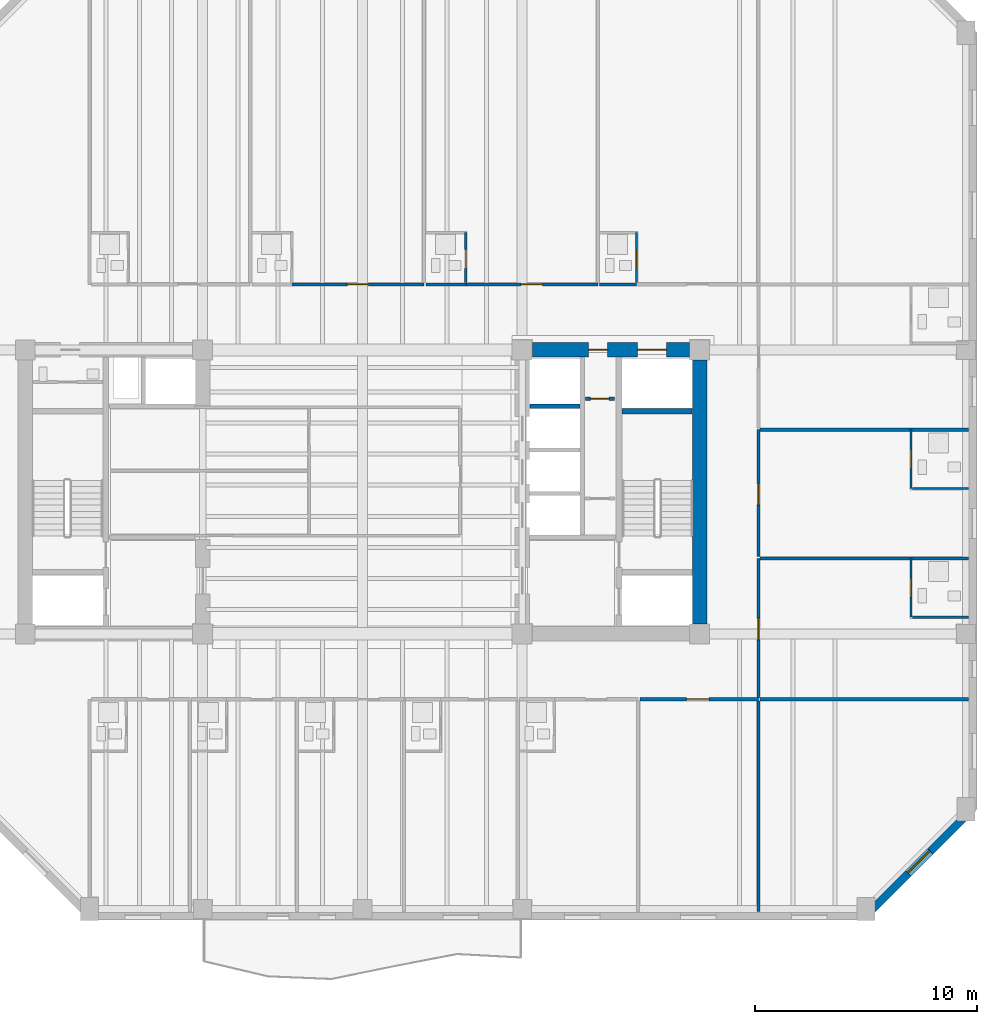
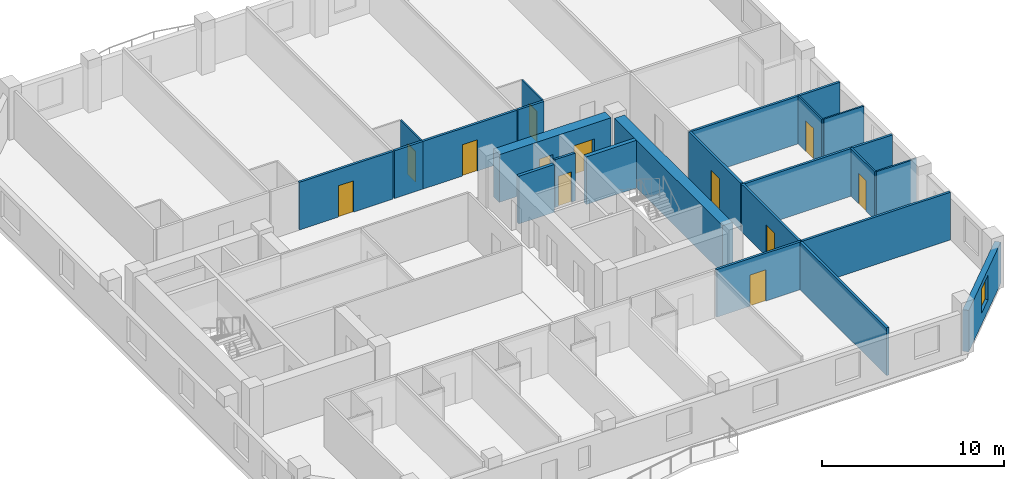
# One storey, part 5 of 11: 23 walls, 12 doors, 1 window, 13 openings.
"""IFC4 building model written with IfcOpenShell, lengths in metres."""

from ifc_helpers import new_model, si_unit, direction, frame, frame_2d, origin, place, context, subcontext, project, spatial, rectangle, extrude, material, layer, layer_set, type_object, element, fill, save


model = new_model("IFC4")

# Units and contexts
model_context = context("Model", 3, precision=1e-05, world=origin(), true_north=direction((0.0, 1.0)))
body_context = subcontext(model_context, "Body", "Model", "MODEL_VIEW")
ifc_project = project(units=[si_unit("LENGTHUNIT", "METRE"), si_unit("AREAUNIT", "SQUARE_METRE"), si_unit("VOLUMEUNIT", "CUBIC_METRE"), si_unit("PLANEANGLEUNIT", "RADIAN"), si_unit("MASSUNIT", "GRAM", prefix="KILO")], contexts=[model_context])

# Site, building, storey
site_placement = place(None, origin())
site = spatial("IfcSite", under=ifc_project, at=site_placement, CompositionType="ELEMENT")
building_placement = place(site_placement, origin())
building = spatial("IfcBuilding", under=site, at=building_placement, Name="Kranthara Brick Stack", CompositionType="ELEMENT")
storey_placement = place(building_placement, frame((0.0, 0.0, 172.800048828125)))
storey = spatial("IfcBuildingStorey", under=building, at=storey_placement, Name="L44", CompositionType="ELEMENT", Elevation=172.800048828125)

# Wall, opening, window
ifc_material_1 = material(Name="Kiln-fired clay brick masonry M15", Category="masonry")
ifc_layer_1 = layer(ifc_material_1, 0.35009765625)
ifc_layer_set_1 = layer_set([ifc_layer_1], Name="Kiln-fired clay brick masonry M15")
wall_type_1 = type_object("IfcWallType", Name="WL-BRK-SPND-350", PredefinedType="STANDARD", material=ifc_layer_set_1)
wall_1_placement = place(storey_placement, frame((55.5048828125, 12.89990234375, 0.0), z_axis=(0.0, 0.0, 1.0), x_axis=(-0.707106781187, -0.707106781187, 0.0)))
wall_1 = element("IfcWall", 1, at=wall_1_placement, inside=storey, type_object=wall_type_1, Name="L44 Exterior Brick Facade Wall SE 1", PredefinedType="STANDARD", context=body_context, shape_type="SweptSolid", body=[
    extrude(rectangle(XDim=6.795166015625, YDim=0.35009765625, at=frame_2d((3.3974609375, 0.0))), origin(), (0.0, 0.0, 1.0), 2.784912109375),
])
opening_1_placement = place(wall_1_placement, frame((2.697998046875, 0.0, 0.75)))
opening_1 = element("IfcOpeningElement", 2, at=opening_1_placement, cuts=wall_1, Name="Opening WN10", PredefinedType="OPENING", context=body_context, shape_type="SweptSolid", body=[
    extrude(rectangle(XDim=1.39990234375, YDim=1.64990234375, at=frame_2d((0.699951171875, 0.824951171875))), frame((0.0, 0.18505859375, 0.0), z_axis=(0.0, -1.0, 0.0), x_axis=(1.0, 0.0, 0.0)), (0.0, 0.0, 1.0), 0.3701171875),
])
ifc_material_2 = material(Name="Double-glazed low-E solar control glass", Category="glass")
window_type = type_object("IfcWindowType", Name="WN-CHM-1400x1750", PartitioningType="SINGLE_PANEL", PredefinedType="WINDOW", material=ifc_material_2)
window_placement = place(opening_1_placement, origin())
window = element("IfcWindow", 3, at=window_placement, inside=storey, type_object=window_type, Name="L44 SE Chamfer Corner Window", OverallHeight=1.64990234375, OverallWidth=1.39990234375, PartitioningType="SINGLE_PANEL", PredefinedType="WINDOW", context=body_context, shape_type="SweptSolid", body=[
    extrude(rectangle(XDim=1.39990234375, YDim=1.64990234375, at=frame_2d((0.699951171875, 0.824951171875))), frame((0.0, -0.010009765625, 0.0), z_axis=(0.0, -1.0, 0.0), x_axis=(1.0, 0.0, 0.0)), (0.0, 0.0, 1.0), 0.06005859375),
])
fill(opening_1, window)

# Walls
ifc_material_3 = material(Name="Concrete C50/60", Category="concrete")
ifc_layer_2 = layer(ifc_material_3, 0.25)
ifc_layer_set_2 = layer_set([ifc_layer_2], Name="Concrete C50/60")
wall_type_2 = type_object("IfcWallType", Name="WL-CORE-250", PredefinedType="SHEAR", material=ifc_layer_set_2)
wall_2_placement = place(storey_placement, frame((39.68994140625, 30.830078125, 0.0), z_axis=(0.0, 0.0, 1.0), x_axis=(1.0, 0.0, 0.0)))
element("IfcWall", 4, at=wall_2_placement, inside=storey, type_object=wall_type_2, Name="L44 East Stairwell Bearing Wall EST", PredefinedType="SHEAR", context=body_context, shape_type="SweptSolid", body=[
    extrude(rectangle(XDim=3.175048828125, YDim=0.25, at=frame_2d((1.58740234375, 0.0))), origin(), (0.0, 0.0, 1.0), 3.199951171875),
])
ifc_material_4 = material(Name="Concrete C60/75", Category="concrete")
ifc_layer_3 = layer(ifc_material_4, 0.64990234375)
ifc_layer_set_3 = layer_set([ifc_layer_3], Name="Concrete C60/75")
wall_type_3 = type_object("IfcWallType", Name="WL-CORE-650", PredefinedType="SHEAR", material=ifc_layer_set_3)
wall_3_placement = place(storey_placement, frame((43.199951171875, 21.2548828125, 0.0), z_axis=(0.0, 0.0, 1.0), x_axis=(0.0, 1.0, 0.0)))
element("IfcWall", 5, at=wall_3_placement, inside=storey, type_object=wall_type_3, Name="L44 East Core Shear Wall East", PredefinedType="SHEAR", context=body_context, shape_type="SweptSolid", body=[
    extrude(rectangle(XDim=11.89013671875, YDim=0.64990234375, at=frame_2d((5.945068359375, 0.0))), origin(), (0.0, 0.0, 1.0), 3.199951171875),
])

# Wall, openings, doors
wall_4_placement = place(storey_placement, frame((35.655029296875, 33.60009765625, 0.0), z_axis=(0.0, 0.0, 1.0), x_axis=(1.0, 0.0, 0.0)))
wall_4 = element("IfcWall", 6, at=wall_4_placement, inside=storey, type_object=wall_type_3, Name="L44 East Core Shear Wall North", PredefinedType="SHEAR", context=body_context, shape_type="SweptSolid", body=[
    extrude(rectangle(XDim=7.090087890625, YDim=0.64990234375, at=frame_2d((3.544921875, 0.0))), origin(), (0.0, 0.0, 1.0), 3.199951171875),
])
opening_2_placement = place(wall_4_placement, frame((4.7451171875, 0.0, 0.0)))
opening_2 = element("IfcOpeningElement", 7, at=opening_2_placement, cuts=wall_4, Name="Opening LD03", PredefinedType="OPENING", context=body_context, shape_type="SweptSolid", body=[
    extrude(rectangle(XDim=1.300048828125, YDim=2.14990234375, at=frame_2d((0.64990234375, 1.074951171875))), frame((0.0, 0.3349609375, 0.0), z_axis=(0.0, -1.0, 0.0), x_axis=(1.0, 0.0, 0.0)), (0.0, 0.0, 1.0), 0.669921875),
])
opening_3_placement = place(wall_4_placement, frame((2.544921875, 0.0, 0.0)))
opening_3 = element("IfcOpeningElement", 8, at=opening_3_placement, cuts=wall_4, Name="Opening D10", PredefinedType="OPENING", context=body_context, shape_type="SweptSolid", body=[
    extrude(rectangle(XDim=0.85009765625, YDim=2.02001953125, at=frame_2d((0.425048828125, 1.010009765625))), frame((0.0, 0.3349609375, 0.0), z_axis=(0.0, -1.0, 0.0), x_axis=(1.0, 0.0, 0.0)), (0.0, 0.0, 1.0), 0.669921875),
])
ifc_material_5 = material(Name="Stainless steel sliding landing door", Category="steel")
door_type_1 = type_object("IfcDoorType", Name="DR-LD-SV1300", OperationType="DOUBLE_DOOR_SLIDING", PredefinedType="DOOR", material=ifc_material_5)
door_1_placement = place(opening_2_placement, origin())
door_1 = element("IfcDoor", 9, at=door_1_placement, inside=storey, type_object=door_type_1, Name="L44 Stretcher Service Lift SV-01 Landing Door", OperationType="DOUBLE_DOOR_SLIDING", OverallHeight=2.14990234375, OverallWidth=1.300048828125, PredefinedType="DOOR", context=body_context, shape_type="SweptSolid", body=[
    extrude(rectangle(XDim=1.300048828125, YDim=2.14990234375, at=frame_2d((0.64990234375, 1.074951171875))), frame((0.0, 0.02490234375, 0.0), z_axis=(0.0, -1.0, 0.0), x_axis=(1.0, 0.0, 0.0)), (0.0, 0.0, 1.0), 0.050048828125),
])
fill(opening_2, door_1)
ifc_material_6 = material(Name="Solid-core hardwood timber leaf in steel frame", Category="steel")
door_type_2 = type_object("IfcDoorType", Name="DR-RSR-850", OperationType="NOTDEFINED", PredefinedType="DOOR", material=ifc_material_6)
door_2_placement = place(opening_3_placement, origin())
door_2 = element("IfcDoor", 10, at=door_2_placement, inside=storey, type_object=door_type_2, Name="L44 East Core Service Room Door", OperationType="SINGLE_SWING_LEFT", OverallHeight=2.02001953125, OverallWidth=0.85009765625, PredefinedType="DOOR", context=body_context, shape_type="SweptSolid", body=[
    extrude(rectangle(XDim=0.85009765625, YDim=2.02001953125, at=frame_2d((0.425048828125, 1.010009765625))), frame((0.0, 0.02490234375, 0.0), z_axis=(0.0, -1.0, 0.0), x_axis=(1.0, 0.0, 0.0)), (0.0, 0.0, 1.0), 0.050048828125),
])
fill(opening_3, door_2)

# Wall, opening, door
ifc_material_7 = material(Name="Moisture-resistant wet-room partition", Category="other")
ifc_layer_4 = layer(ifc_material_7, 0.10009765625)
ifc_layer_set_4 = layer_set([ifc_layer_4], Name="Moisture-resistant wet-room partition")
wall_type_4 = type_object("IfcWallType", Name="WL-PART-100", PredefinedType="PARTITIONING", material=ifc_layer_set_4)
wall_5_placement = place(storey_placement, frame((32.656494140625, 36.6298828125, 0.0), z_axis=(0.0, 0.0, 1.0), x_axis=(0.0, 1.0, 0.0)))
wall_5 = element("IfcWall", 11, at=wall_5_placement, inside=storey, type_object=wall_type_4, Name="L44 Interior Partition 050", PredefinedType="PARTITIONING", context=body_context, shape_type="SweptSolid", body=[
    extrude(rectangle(XDim=2.25, YDim=0.10009765625, at=frame_2d((1.125, 0.0))), origin(), (0.0, 0.0, 1.0), 3.199951171875),
])
opening_4_placement = place(wall_5_placement, frame((0.639892578125, 0.0, 0.0)))
opening_4 = element("IfcOpeningElement", 12, at=opening_4_placement, cuts=wall_5, Name="Opening D17", PredefinedType="OPENING", context=body_context, shape_type="SweptSolid", body=[
    extrude(rectangle(XDim=0.85009765625, YDim=2.050048828125, at=frame_2d((0.425048828125, 1.02490234375))), frame((0.0, 0.06005859375, 0.0), z_axis=(0.0, -1.0, 0.0), x_axis=(1.0, 0.0, 0.0)), (0.0, 0.0, 1.0), 0.1201171875),
])
ifc_material_8 = material(Name="Solid-core hardwood timber leaf in steel frame", Category="steel")
door_type_3 = type_object("IfcDoorType", Name="DR-WET-850", OperationType="NOTDEFINED", PredefinedType="DOOR", material=ifc_material_8)
door_3_placement = place(opening_4_placement, origin())
door_3 = element("IfcDoor", 13, at=door_3_placement, inside=storey, type_object=door_type_3, Name="L44 Key 09 En-Suite Door 22", OperationType="SINGLE_SWING_RIGHT", OverallHeight=2.050048828125, OverallWidth=0.85009765625, PredefinedType="DOOR", context=body_context, shape_type="SweptSolid", body=[
    extrude(rectangle(XDim=0.85009765625, YDim=2.050048828125, at=frame_2d((0.425048828125, 1.02490234375))), frame((0.0, 0.02490234375, 0.0), z_axis=(0.0, -1.0, 0.0), x_axis=(1.0, 0.0, 0.0)), (0.0, 0.0, 1.0), 0.050048828125),
])
fill(opening_4, door_3)

wall_6_placement = place(storey_placement, frame((40.3505859375, 36.6298828125, 0.0), z_axis=(0.0, 0.0, 1.0), x_axis=(0.0, 1.0, 0.0)))
wall_6 = element("IfcWall", 14, at=wall_6_placement, inside=storey, type_object=wall_type_4, Name="L44 Interior Partition 055", PredefinedType="PARTITIONING", context=body_context, shape_type="SweptSolid", body=[
    extrude(rectangle(XDim=2.25, YDim=0.10009765625, at=frame_2d((1.125, 0.0))), origin(), (0.0, 0.0, 1.0), 3.199951171875),
])
opening_5_placement = place(wall_6_placement, frame((0.639892578125, 0.0, 0.0)))
opening_5 = element("IfcOpeningElement", 15, at=opening_5_placement, cuts=wall_6, Name="Opening D17", PredefinedType="OPENING", context=body_context, shape_type="SweptSolid", body=[
    extrude(rectangle(XDim=0.85009765625, YDim=2.050048828125, at=frame_2d((0.425048828125, 1.02490234375))), frame((0.0, 0.06005859375, 0.0), z_axis=(0.0, -1.0, 0.0), x_axis=(1.0, 0.0, 0.0)), (0.0, 0.0, 1.0), 0.1201171875),
])
door_4_placement = place(opening_5_placement, origin())
door_4 = element("IfcDoor", 16, at=door_4_placement, inside=storey, type_object=door_type_3, Name="L44 Key 10 En-Suite Door 24", OperationType="SINGLE_SWING_RIGHT", OverallHeight=2.050048828125, OverallWidth=0.85009765625, PredefinedType="DOOR", context=body_context, shape_type="SweptSolid", body=[
    extrude(rectangle(XDim=0.85009765625, YDim=2.050048828125, at=frame_2d((0.425048828125, 1.02490234375))), frame((0.0, 0.02490234375, 0.0), z_axis=(0.0, -1.0, 0.0), x_axis=(1.0, 0.0, 0.0)), (0.0, 0.0, 1.0), 0.050048828125),
])
fill(opening_5, door_4)

wall_7_placement = place(storey_placement, frame((52.72998046875, 21.550048828125, 0.0), z_axis=(0.0, 0.0, 1.0), x_axis=(0.0, 1.0, 0.0)))
wall_7 = element("IfcWall", 17, at=wall_7_placement, inside=storey, type_object=wall_type_4, Name="L44 Interior Partition 061", PredefinedType="PARTITIONING", context=body_context, shape_type="SweptSolid", body=[
    extrude(rectangle(XDim=2.64990234375, YDim=0.10009765625, at=frame_2d((1.324951171875, 0.0))), origin(), (0.0, 0.0, 1.0), 3.199951171875),
])
opening_6_placement = place(wall_7_placement, frame((0.905029296875, 0.0, 0.0)))
opening_6 = element("IfcOpeningElement", 18, at=opening_6_placement, cuts=wall_7, Name="Opening D17", PredefinedType="OPENING", context=body_context, shape_type="SweptSolid", body=[
    extrude(rectangle(XDim=0.85009765625, YDim=2.050048828125, at=frame_2d((0.425048828125, 1.02490234375))), frame((0.0, 0.06005859375, 0.0), z_axis=(0.0, -1.0, 0.0), x_axis=(1.0, 0.0, 0.0)), (0.0, 0.0, 1.0), 0.1201171875),
])
door_5_placement = place(opening_6_placement, origin())
door_5 = element("IfcDoor", 19, at=door_5_placement, inside=storey, type_object=door_type_3, Name="L44 East Key 11 Bath 26", OperationType="SINGLE_SWING_RIGHT", OverallHeight=2.050048828125, OverallWidth=0.85009765625, PredefinedType="DOOR", context=body_context, shape_type="SweptSolid", body=[
    extrude(rectangle(XDim=0.85009765625, YDim=2.050048828125, at=frame_2d((0.425048828125, 1.02490234375))), frame((0.0, 0.02490234375, 0.0), z_axis=(0.0, -1.0, 0.0), x_axis=(1.0, 0.0, 0.0)), (0.0, 0.0, 1.0), 0.050048828125),
])
fill(opening_6, door_5)

# Wall
wall_8_placement = place(storey_placement, frame((52.784912109375, 21.550048828125, 0.0), z_axis=(0.0, 0.0, 1.0), x_axis=(1.0, 0.0, 0.0)))
element("IfcWall", 20, at=wall_8_placement, inside=storey, type_object=wall_type_4, Name="L44 Interior Partition 062", PredefinedType="PARTITIONING", context=body_context, shape_type="SweptSolid", body=[
    extrude(rectangle(XDim=2.5400390625, YDim=0.10009765625, at=frame_2d((1.27001953125, 0.0))), origin(), (0.0, 0.0, 1.0), 3.199951171875),
])

# Wall, opening, door
wall_9_placement = place(storey_placement, frame((52.72998046875, 27.35009765625, 0.0), z_axis=(0.0, 0.0, 1.0), x_axis=(0.0, 1.0, 0.0)))
wall_9 = element("IfcWall", 21, at=wall_9_placement, inside=storey, type_object=wall_type_4, Name="L44 Interior Partition 065", PredefinedType="PARTITIONING", context=body_context, shape_type="SweptSolid", body=[
    extrude(rectangle(XDim=2.64990234375, YDim=0.10009765625, at=frame_2d((1.324951171875, 0.0))), origin(), (0.0, 0.0, 1.0), 3.199951171875),
])
opening_7_placement = place(wall_9_placement, frame((0.905029296875, 0.0, 0.0)))
opening_7 = element("IfcOpeningElement", 22, at=opening_7_placement, cuts=wall_9, Name="Opening D17", PredefinedType="OPENING", context=body_context, shape_type="SweptSolid", body=[
    extrude(rectangle(XDim=0.85009765625, YDim=2.050048828125, at=frame_2d((0.425048828125, 1.02490234375))), frame((0.0, 0.06005859375, 0.0), z_axis=(0.0, -1.0, 0.0), x_axis=(1.0, 0.0, 0.0)), (0.0, 0.0, 1.0), 0.1201171875),
])
door_6_placement = place(opening_7_placement, origin())
door_6 = element("IfcDoor", 23, at=door_6_placement, inside=storey, type_object=door_type_3, Name="L44 East Key 12 Bath 28", OperationType="SINGLE_SWING_RIGHT", OverallHeight=2.050048828125, OverallWidth=0.85009765625, PredefinedType="DOOR", context=body_context, shape_type="SweptSolid", body=[
    extrude(rectangle(XDim=0.85009765625, YDim=2.050048828125, at=frame_2d((0.425048828125, 1.02490234375))), frame((0.0, 0.02490234375, 0.0), z_axis=(0.0, -1.0, 0.0), x_axis=(1.0, 0.0, 0.0)), (0.0, 0.0, 1.0), 0.050048828125),
])
fill(opening_7, door_6)

# Wall
wall_10_placement = place(storey_placement, frame((52.784912109375, 27.35009765625, 0.0), z_axis=(0.0, 0.0, 1.0), x_axis=(1.0, 0.0, 0.0)))
element("IfcWall", 24, at=wall_10_placement, inside=storey, type_object=wall_type_4, Name="L44 Interior Partition 066", PredefinedType="PARTITIONING", context=body_context, shape_type="SweptSolid", body=[
    extrude(rectangle(XDim=2.5400390625, YDim=0.10009765625, at=frame_2d((1.27001953125, 0.0))), origin(), (0.0, 0.0, 1.0), 3.199951171875),
])

# Wall, opening, door
ifc_material_9 = material(Name="Fire-rated gypsum board partition", Category="other")
ifc_layer_5 = layer(ifc_material_9, 0.14990234375)
ifc_layer_set_5 = layer_set([ifc_layer_5], Name="Fire-rated gypsum board partition")
wall_type_5 = type_object("IfcWallType", Name="WL-PART-150", PredefinedType="PARTITIONING", material=ifc_layer_set_5)
wall_11_placement = place(storey_placement, frame((38.050048828125, 31.39990234375, 0.0), z_axis=(0.0, 0.0, 1.0), x_axis=(1.0, 0.0, 0.0)))
wall_11 = element("IfcWall", 25, at=wall_11_placement, inside=storey, type_object=wall_type_5, Name="L44 Interior Partition 003", PredefinedType="PARTITIONING", context=body_context, shape_type="SweptSolid", body=[
    extrude(rectangle(XDim=1.300048828125, YDim=0.14990234375, at=frame_2d((0.64990234375, 0.0))), origin(), (0.0, 0.0, 1.0), 3.199951171875),
])
opening_8_placement = place(wall_11_placement, frame((0.219970703125, 0.0, 0.0)))
opening_8 = element("IfcOpeningElement", 26, at=opening_8_placement, cuts=wall_11, Name="Opening D10", PredefinedType="OPENING", context=body_context, shape_type="SweptSolid", body=[
    extrude(rectangle(XDim=0.85009765625, YDim=2.02001953125, at=frame_2d((0.425048828125, 1.010009765625))), frame((0.0, 0.0849609375, 0.0), z_axis=(0.0, -1.0, 0.0), x_axis=(1.0, 0.0, 0.0)), (0.0, 0.0, 1.0), 0.169921875),
])
door_7_placement = place(opening_8_placement, origin())
door_7 = element("IfcDoor", 27, at=door_7_placement, inside=storey, type_object=door_type_2, Name="L44 East Switch Door 03", OperationType="SINGLE_SWING_LEFT", OverallHeight=2.02001953125, OverallWidth=0.85009765625, PredefinedType="DOOR", context=body_context, shape_type="SweptSolid", body=[
    extrude(rectangle(XDim=0.85009765625, YDim=2.02001953125, at=frame_2d((0.425048828125, 1.010009765625))), frame((0.0, 0.02490234375, 0.0), z_axis=(0.0, -1.0, 0.0), x_axis=(1.0, 0.0, 0.0)), (0.0, 0.0, 1.0), 0.050048828125),
])
fill(opening_8, door_7)

wall_12_placement = place(storey_placement, frame((40.5029296875, 17.85009765625, 0.0), z_axis=(0.0, 0.0, 1.0), x_axis=(1.0, 0.0, 0.0)))
wall_12 = element("IfcWall", 28, at=wall_12_placement, inside=storey, type_object=wall_type_5, Name="L44 Interior Partition 035", PredefinedType="PARTITIONING", context=body_context, shape_type="SweptSolid", body=[
    extrude(rectangle(XDim=5.34716796875, YDim=0.14990234375, at=frame_2d((2.673583984375, 0.0))), origin(), (0.0, 0.0, 1.0), 3.199951171875),
])
opening_9_placement = place(wall_12_placement, frame((2.114013671875, 0.0, 0.0)))
opening_9 = element("IfcOpeningElement", 29, at=opening_9_placement, cuts=wall_12, Name="Opening D08", PredefinedType="OPENING", context=body_context, shape_type="SweptSolid", body=[
    extrude(rectangle(XDim=1.0, YDim=2.10009765625, at=frame_2d((0.5, 1.050048828125))), frame((0.0, 0.0849609375, 0.0), z_axis=(0.0, -1.0, 0.0), x_axis=(1.0, 0.0, 0.0)), (0.0, 0.0, 1.0), 0.169921875),
])
ifc_material_10 = material(Name="Solid-core hardwood timber leaf in steel frame", Category="steel")
door_type_4 = type_object("IfcDoorType", Name="DR-FD-1000", OperationType="NOTDEFINED", PredefinedType="DOOR", material=ifc_material_10)
door_8_placement = place(opening_9_placement, origin())
door_8 = element("IfcDoor", 30, at=door_8_placement, inside=storey, type_object=door_type_4, Name="L44 Guest Lounge 17", OperationType="SINGLE_SWING_LEFT", OverallHeight=2.10009765625, OverallWidth=1.0, PredefinedType="DOOR", context=body_context, shape_type="SweptSolid", body=[
    extrude(rectangle(XDim=1.0, YDim=2.10009765625, at=frame_2d((0.5, 1.050048828125))), frame((0.0, 0.02490234375, 0.0), z_axis=(0.0, -1.0, 0.0), x_axis=(1.0, 0.0, 0.0)), (0.0, 0.0, 1.0), 0.050048828125),
])
fill(opening_9, door_8)

# Wall
wall_13_placement = place(storey_placement, frame((45.85009765625, 8.27490234375, 0.0), z_axis=(0.0, 0.0, 1.0), x_axis=(0.0, 1.0, 0.0)))
element("IfcWall", 31, at=wall_13_placement, inside=storey, type_object=wall_type_5, Name="L44 Interior Partition 036", PredefinedType="PARTITIONING", context=body_context, shape_type="SweptSolid", body=[
    extrude(rectangle(XDim=9.4951171875, YDim=0.14990234375, at=frame_2d((4.74755859375, 0.0))), origin(), (0.0, 0.0, 1.0), 3.199951171875),
])

# Wall, opening, door
wall_14_placement = place(storey_placement, frame((24.8173828125, 36.550048828125, 0.0), z_axis=(0.0, 0.0, 1.0), x_axis=(1.0, 0.0, 0.0)))
wall_14 = element("IfcWall", 32, at=wall_14_placement, inside=storey, type_object=wall_type_5, Name="L44 Interior Partition 044", PredefinedType="PARTITIONING", context=body_context, shape_type="SweptSolid", body=[
    extrude(rectangle(XDim=5.95751953125, YDim=0.14990234375, at=frame_2d((2.978759765625, 0.0))), origin(), (0.0, 0.0, 1.0), 3.199951171875),
])
opening_10_placement = place(wall_14_placement, frame((2.4990234375, 0.0, 0.0)))
opening_10 = element("IfcOpeningElement", 33, at=opening_10_placement, cuts=wall_14, Name="Opening D09", PredefinedType="OPENING", context=body_context, shape_type="SweptSolid", body=[
    extrude(rectangle(XDim=0.949951171875, YDim=2.10009765625, at=frame_2d((0.47509765625, 1.050048828125))), frame((0.0, 0.0849609375, 0.0), z_axis=(0.0, -1.0, 0.0), x_axis=(1.0, 0.0, 0.0)), (0.0, 0.0, 1.0), 0.169921875),
])
ifc_material_11 = material(Name="Solid-core hardwood timber leaf in steel frame", Category="steel")
door_type_5 = type_object("IfcDoorType", Name="DR-FD-950", OperationType="NOTDEFINED", PredefinedType="DOOR", material=ifc_material_11)
door_9_placement = place(opening_10_placement, origin())
door_9 = element("IfcDoor", 34, at=door_9_placement, inside=storey, type_object=door_type_5, Name="L44 Key 08 Entry 21", OperationType="SINGLE_SWING_LEFT", OverallHeight=2.10009765625, OverallWidth=0.949951171875, PredefinedType="DOOR", context=body_context, shape_type="SweptSolid", body=[
    extrude(rectangle(XDim=0.949951171875, YDim=2.10009765625, at=frame_2d((0.47509765625, 1.050048828125))), frame((0.0, 0.02490234375, 0.0), z_axis=(0.0, -1.0, 0.0), x_axis=(1.0, 0.0, 0.0)), (0.0, 0.0, 1.0), 0.050048828125),
])
fill(opening_10, door_9)

# Wall
wall_15_placement = place(storey_placement, frame((30.85498046875, 36.550048828125, 0.0), z_axis=(0.0, 0.0, 1.0), x_axis=(1.0, 0.0, 0.0)))
element("IfcWall", 35, at=wall_15_placement, inside=storey, type_object=wall_type_5, Name="L44 Interior Partition 048", PredefinedType="PARTITIONING", context=body_context, shape_type="SweptSolid", body=[
    extrude(rectangle(XDim=1.801513671875, YDim=0.14990234375, at=frame_2d((0.90087890625, 0.0))), origin(), (0.0, 0.0, 1.0), 3.199951171875),
])

# Wall, opening, door
wall_16_placement = place(storey_placement, frame((32.656494140625, 36.550048828125, 0.0), z_axis=(0.0, 0.0, 1.0), x_axis=(1.0, 0.0, 0.0)))
wall_16 = element("IfcWall", 36, at=wall_16_placement, inside=storey, type_object=wall_type_5, Name="L44 Interior Partition 049", PredefinedType="PARTITIONING", context=body_context, shape_type="SweptSolid", body=[
    extrude(rectangle(XDim=5.95751953125, YDim=0.14990234375, at=frame_2d((2.978759765625, 0.0))), origin(), (0.0, 0.0, 1.0), 3.199951171875),
])
opening_11_placement = place(wall_16_placement, frame((2.4990234375, 0.0, 0.0)))
opening_11 = element("IfcOpeningElement", 37, at=opening_11_placement, cuts=wall_16, Name="Opening D09", PredefinedType="OPENING", context=body_context, shape_type="SweptSolid", body=[
    extrude(rectangle(XDim=0.949951171875, YDim=2.10009765625, at=frame_2d((0.47509765625, 1.050048828125))), frame((0.0, 0.0849609375, 0.0), z_axis=(0.0, -1.0, 0.0), x_axis=(1.0, 0.0, 0.0)), (0.0, 0.0, 1.0), 0.169921875),
])
door_10_placement = place(opening_11_placement, origin())
door_10 = element("IfcDoor", 38, at=door_10_placement, inside=storey, type_object=door_type_5, Name="L44 Key 09 Entry 23", OperationType="SINGLE_SWING_LEFT", OverallHeight=2.10009765625, OverallWidth=0.949951171875, PredefinedType="DOOR", context=body_context, shape_type="SweptSolid", body=[
    extrude(rectangle(XDim=0.949951171875, YDim=2.10009765625, at=frame_2d((0.47509765625, 1.050048828125))), frame((0.0, 0.02490234375, 0.0), z_axis=(0.0, -1.0, 0.0), x_axis=(1.0, 0.0, 0.0)), (0.0, 0.0, 1.0), 0.050048828125),
])
fill(opening_11, door_10)

# Walls
wall_17_placement = place(storey_placement, frame((38.694091796875, 36.550048828125, 0.0), z_axis=(0.0, 0.0, 1.0), x_axis=(1.0, 0.0, 0.0)))
element("IfcWall", 39, at=wall_17_placement, inside=storey, type_object=wall_type_5, Name="L44 Interior Partition 053", PredefinedType="PARTITIONING", context=body_context, shape_type="SweptSolid", body=[
    extrude(rectangle(XDim=1.656494140625, YDim=0.14990234375, at=frame_2d((0.828125, 0.0))), origin(), (0.0, 0.0, 1.0), 3.199951171875),
])
wall_18_placement = place(storey_placement, frame((45.929931640625, 17.85009765625, 0.0), z_axis=(0.0, 0.0, 1.0), x_axis=(1.0, 0.0, 0.0)))
element("IfcWall", 40, at=wall_18_placement, inside=storey, type_object=wall_type_5, Name="L44 Interior Partition 058", PredefinedType="PARTITIONING", context=body_context, shape_type="SweptSolid", body=[
    extrude(rectangle(XDim=9.39501953125, YDim=0.14990234375, at=frame_2d((4.697509765625, 0.0))), origin(), (0.0, 0.0, 1.0), 3.199951171875),
])

# Wall, opening, door
wall_19_placement = place(storey_placement, frame((45.85009765625, 17.929931640625, 0.0), z_axis=(0.0, 0.0, 1.0), x_axis=(0.0, 1.0, 0.0)))
wall_19 = element("IfcWall", 41, at=wall_19_placement, inside=storey, type_object=wall_type_5, Name="L44 Interior Partition 060", PredefinedType="PARTITIONING", context=body_context, shape_type="SweptSolid", body=[
    extrude(rectangle(XDim=6.27001953125, YDim=0.14990234375, at=frame_2d((3.135009765625, 0.0))), origin(), (0.0, 0.0, 1.0), 3.199951171875),
])
opening_12_placement = place(wall_19_placement, frame((2.614990234375, 0.0, 0.0)))
opening_12 = element("IfcOpeningElement", 42, at=opening_12_placement, cuts=wall_19, Name="Opening D09", PredefinedType="OPENING", context=body_context, shape_type="SweptSolid", body=[
    extrude(rectangle(XDim=0.949951171875, YDim=2.10009765625, at=frame_2d((0.47509765625, 1.050048828125))), frame((0.0, 0.0849609375, 0.0), z_axis=(0.0, -1.0, 0.0), x_axis=(1.0, 0.0, 0.0)), (0.0, 0.0, 1.0), 0.169921875),
])
door_11_placement = place(opening_12_placement, origin())
door_11 = element("IfcDoor", 43, at=door_11_placement, inside=storey, type_object=door_type_5, Name="L44 East Key 11 27", OperationType="SINGLE_SWING_LEFT", OverallHeight=2.10009765625, OverallWidth=0.949951171875, PredefinedType="DOOR", context=body_context, shape_type="SweptSolid", body=[
    extrude(rectangle(XDim=0.949951171875, YDim=2.10009765625, at=frame_2d((0.47509765625, 1.050048828125))), frame((0.0, 0.02490234375, 0.0), z_axis=(0.0, -1.0, 0.0), x_axis=(1.0, 0.0, 0.0)), (0.0, 0.0, 1.0), 0.050048828125),
])
fill(opening_12, door_11)

# Wall
wall_20_placement = place(storey_placement, frame((45.929931640625, 24.199951171875, 0.0), z_axis=(0.0, 0.0, 1.0), x_axis=(1.0, 0.0, 0.0)))
element("IfcWall", 44, at=wall_20_placement, inside=storey, type_object=wall_type_5, Name="L44 Interior Partition 063", PredefinedType="PARTITIONING", context=body_context, shape_type="SweptSolid", body=[
    extrude(rectangle(XDim=9.39501953125, YDim=0.14990234375, at=frame_2d((4.697509765625, 0.0))), origin(), (0.0, 0.0, 1.0), 3.199951171875),
])

# Wall, opening, door
wall_21_placement = place(storey_placement, frame((45.85009765625, 24.280029296875, 0.0), z_axis=(0.0, 0.0, 1.0), x_axis=(0.0, 1.0, 0.0)))
wall_21 = element("IfcWall", 45, at=wall_21_placement, inside=storey, type_object=wall_type_5, Name="L44 Interior Partition 064", PredefinedType="PARTITIONING", context=body_context, shape_type="SweptSolid", body=[
    extrude(rectangle(XDim=5.719970703125, YDim=0.14990234375, at=frame_2d((2.85986328125, 0.0))), origin(), (0.0, 0.0, 1.0), 3.199951171875),
])
opening_13_placement = place(wall_21_placement, frame((2.340087890625, 0.0, 0.0)))
opening_13 = element("IfcOpeningElement", 46, at=opening_13_placement, cuts=wall_21, Name="Opening D09", PredefinedType="OPENING", context=body_context, shape_type="SweptSolid", body=[
    extrude(rectangle(XDim=0.949951171875, YDim=2.10009765625, at=frame_2d((0.47509765625, 1.050048828125))), frame((0.0, 0.0849609375, 0.0), z_axis=(0.0, -1.0, 0.0), x_axis=(1.0, 0.0, 0.0)), (0.0, 0.0, 1.0), 0.169921875),
])
door_12_placement = place(opening_13_placement, origin())
door_12 = element("IfcDoor", 47, at=door_12_placement, inside=storey, type_object=door_type_5, Name="L44 East Key 12 29", OperationType="SINGLE_SWING_LEFT", OverallHeight=2.10009765625, OverallWidth=0.949951171875, PredefinedType="DOOR", context=body_context, shape_type="SweptSolid", body=[
    extrude(rectangle(XDim=0.949951171875, YDim=2.10009765625, at=frame_2d((0.47509765625, 1.050048828125))), frame((0.0, 0.02490234375, 0.0), z_axis=(0.0, -1.0, 0.0), x_axis=(1.0, 0.0, 0.0)), (0.0, 0.0, 1.0), 0.050048828125),
])
fill(opening_13, door_12)

# Walls
wall_22_placement = place(storey_placement, frame((45.929931640625, 30.0, 0.0), z_axis=(0.0, 0.0, 1.0), x_axis=(1.0, 0.0, 0.0)))
element("IfcWall", 48, at=wall_22_placement, inside=storey, type_object=wall_type_5, Name="L44 Interior Partition 067", PredefinedType="PARTITIONING", context=body_context, shape_type="SweptSolid", body=[
    extrude(rectangle(XDim=9.39501953125, YDim=0.14990234375, at=frame_2d((4.697509765625, 0.0))), origin(), (0.0, 0.0, 1.0), 3.199951171875),
])
ifc_material_12 = material(Name="Concrete C40/50", Category="concrete")
ifc_layer_6 = layer(ifc_material_12, 0.199951171875)
ifc_layer_set_6 = layer_set([ifc_layer_6], Name="Concrete C40/50")
wall_type_6 = type_object("IfcWallType", Name="WL-PART-200", PredefinedType="SOLIDWALL", material=ifc_layer_set_6)
wall_23_placement = place(storey_placement, frame((35.550048828125, 31.050048828125, 0.0), z_axis=(0.0, 0.0, 1.0), x_axis=(1.0, 0.0, 0.0)))
element("IfcWall", 49, at=wall_23_placement, inside=storey, type_object=wall_type_6, Name="L44 East Core Cross Wall EE4", PredefinedType="SOLIDWALL", context=body_context, shape_type="SweptSolid", body=[
    extrude(rectangle(XDim=2.25, YDim=0.199951171875, at=frame_2d((1.125, 0.0))), origin(), (0.0, 0.0, 1.0), 3.199951171875),
])

save(model, "model.ifc")
